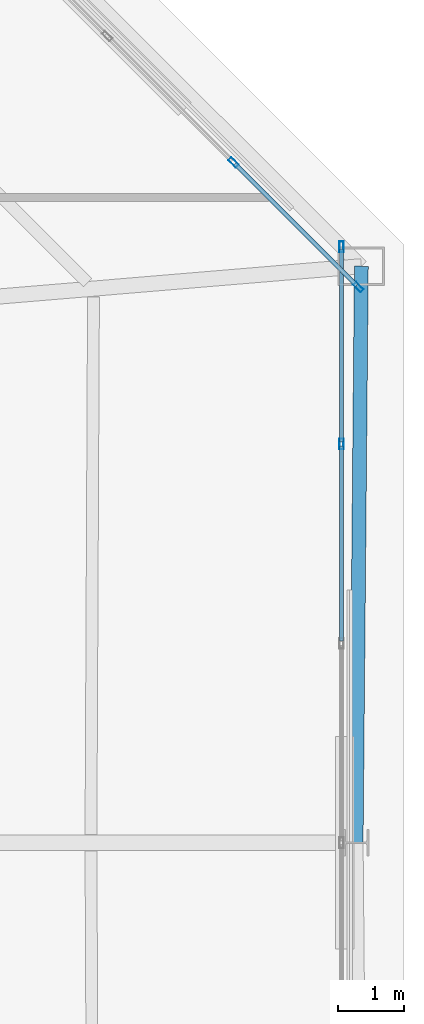
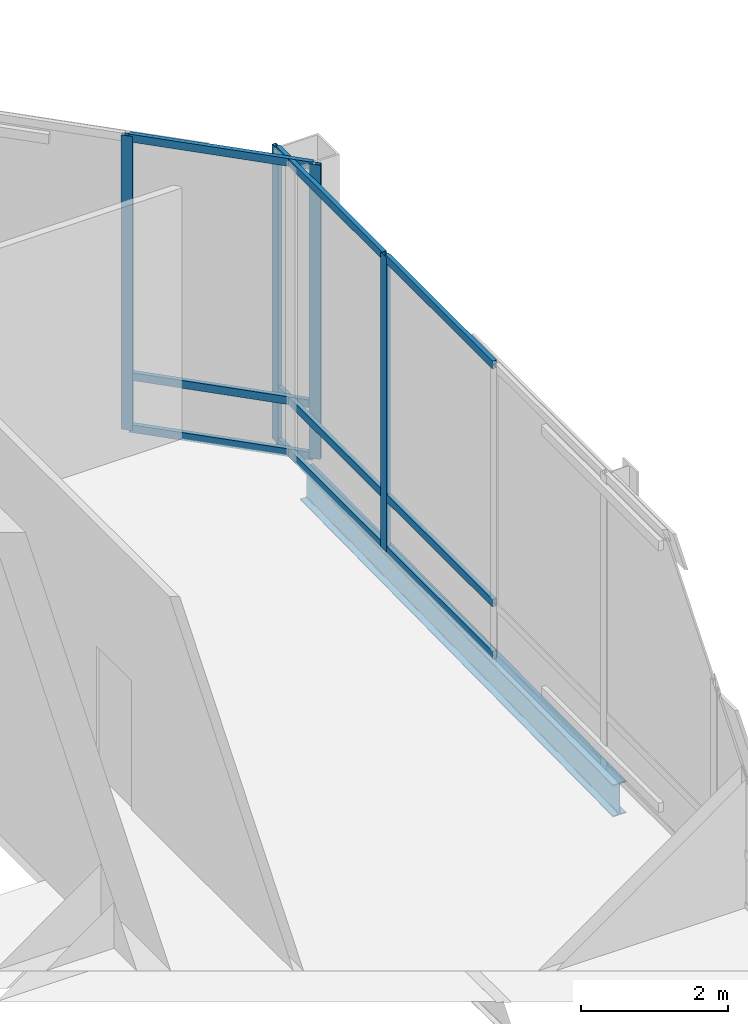
# One storey, part 16 of 21: 13 members, 1 beam, 2 elements without a shape of their own.
"""IFC4 building model written with IfcOpenShell, lengths in metres."""

import ifcopenshell
import ifcopenshell.guid

model = None  # the IFC model being written
_history = None  # IfcOwnerHistory: only IFC2X3 demands one
_inside = {}  # id of a spatial element -> (the spatial element, [elements in it])
_under = {}  # id of a project, library or spatial element -> (it, [spatial elements below it])
_declared = {}  # id of a project -> (the project, [libraries it declares])
_typed = {}  # id of a type object -> (the type object, [elements of that type])
_made_of = {}  # id of a material, layer set ... -> (it, [elements and type objects made of it])


def new_model(schema):
    """Start an empty IFC model of exactly this schema.

    Asked for "IFC4X3", IfcOpenShell would pick the latest addendum, in which some entities
    have other attributes; the version numbers below select the first issue.
    IFC2X3 requires an IfcOwnerHistory on every rooted entity: one is made here for all.
    """
    global model, _history
    if schema == "IFC4X3":
        model = ifcopenshell.file(schema_version=(4, 3, 0, 0))
    else:
        model = ifcopenshell.file(schema=schema)
    _inside.clear()
    _under.clear()
    _declared.clear()
    _typed.clear()
    _made_of.clear()
    _history = None
    if model.schema == "IFC2X3":
        org = make("IfcOrganization", Name="unknown")
        user = make(
            "IfcPersonAndOrganization",
            ThePerson=make("IfcPerson", FamilyName="unknown"),
            TheOrganization=org,
        )
        app = make(
            "IfcApplication",
            ApplicationDeveloper=org,
            Version="unknown",
            ApplicationFullName="unknown",
            ApplicationIdentifier="unknown",
        )
        _history = make(
            "IfcOwnerHistory",
            OwningUser=user,
            OwningApplication=app,
            ChangeAction="ADDED",
            CreationDate=0,
        )
    return model


def make(cls, **values):
    """One entity of the class cls with the attributes given. An attribute that is None is left unset."""
    return model.create_entity(
        cls, **{name: value for name, value in values.items() if value is not None}
    )


def rooted(cls, **values):
    """An entity with a GlobalId (a new one), such as an element, a storey or a relation."""
    return make(cls, GlobalId=ifcopenshell.guid.new(), OwnerHistory=_history, **values)


def si_unit(unit_type, name, prefix=None):
    """IfcSIUnit, for example si_unit("LENGTHUNIT", "METRE", prefix="MILLI")."""
    return make("IfcSIUnit", UnitType=unit_type, Prefix=prefix, Name=name)


def assignment(units):
    """IfcUnitAssignment: the units of a project."""
    return None if units is None else make("IfcUnitAssignment", Units=units)


def point(xyz):
    """IfcCartesianPoint."""
    return None if xyz is None else make("IfcCartesianPoint", Coordinates=xyz)


def direction(xyz):
    """IfcDirection."""
    return None if xyz is None else make("IfcDirection", DirectionRatios=xyz)


def frame(location, z_axis=None, x_axis=None):
    """IfcAxis2Placement3D, a coordinate frame: its origin and axes. An axis left out is left unset."""
    return make(
        "IfcAxis2Placement3D",
        Location=point(location),
        Axis=direction(z_axis),
        RefDirection=direction(x_axis),
    )


def frame_2d(location, x_axis=None):
    """IfcAxis2Placement2D, a coordinate frame in the plane: its origin and x axis."""
    return make(
        "IfcAxis2Placement2D", Location=point(location), RefDirection=direction(x_axis)
    )


def origin():
    """The frame at (0, 0, 0) with its axes left unset."""
    return frame((0.0, 0.0, 0.0))


def origin_2d():
    """The frame at (0, 0) in the plane with its x axis left unset."""
    return frame_2d((0.0, 0.0))


def place(relative_to, where):
    """IfcLocalPlacement: puts the frame where relative to a parent placement (None: the world)."""
    return make(
        "IfcLocalPlacement", PlacementRelTo=relative_to, RelativePlacement=where
    )


def context(
    kind, dimensions, precision=None, world=None, true_north=None, identifier=None
):
    """IfcGeometricRepresentationContext, for example the 3D "Model" context."""
    return make(
        "IfcGeometricRepresentationContext",
        ContextIdentifier=identifier,
        ContextType=kind,
        CoordinateSpaceDimension=dimensions,
        Precision=precision,
        WorldCoordinateSystem=world,
        TrueNorth=true_north,
    )


def subcontext(parent, identifier, kind, view, scale=None):
    """IfcGeometricRepresentationSubContext, for example "Body" below "Model"."""
    return make(
        "IfcGeometricRepresentationSubContext",
        ContextIdentifier=identifier,
        ContextType=kind,
        ParentContext=parent,
        TargetScale=scale,
        TargetView=view,
    )


def project(units=None, contexts=None):
    """IfcProject with its units and contexts."""
    return rooted(
        "IfcProject",
        Name="project",
        RepresentationContexts=contexts,
        UnitsInContext=assignment(units),
    )


def spatial(cls, under=None, at=None, **own):
    """A site, building, storey or space (cls), placed at a placement, below another one or the project."""
    s = rooted(cls, ObjectPlacement=at, **own)
    if under is not None:
        _under.setdefault(under.id(), (under, []))[1].append(s)
    return s


def profile(cls, at=None, kind="AREA", **sizes):
    """A parametric profile (cls). Its sizes go by their IFC names, for example OverallWidth=200.0."""
    return make(cls, ProfileType=kind, Position=at, **sizes)


def hollow_rectangle(**sizes):
    """IfcRectangleHollowProfileDef."""
    return profile("IfcRectangleHollowProfileDef", **sizes)


def i_section(**sizes):
    """IfcIShapeProfileDef."""
    return profile("IfcIShapeProfileDef", **sizes)


def extrude(swept, where, along, depth):
    """IfcExtrudedAreaSolid: the profile swept, set in the frame where, extruded along a direction by depth."""
    return make(
        "IfcExtrudedAreaSolid",
        SweptArea=swept,
        Position=where,
        ExtrudedDirection=direction(along),
        Depth=depth,
    )


def shape(context_of_items, identifier, shape_type, items):
    """IfcShapeRepresentation: the items that make up one representation, for example the "Body"."""
    return make(
        "IfcShapeRepresentation",
        ContextOfItems=context_of_items,
        RepresentationIdentifier=identifier,
        RepresentationType=shape_type,
        Items=items,
    )


def material(Name=None, Category=None):
    """IfcMaterial."""
    return make("IfcMaterial", Name=Name, Category=Category)


def layer(
    of_material, thickness, ventilated=None, Name=None, Category=None, Priority=None
):
    """IfcMaterialLayer: one layer of a wall or slab, of a material (None: an air gap)."""
    return make(
        "IfcMaterialLayer",
        Material=of_material,
        LayerThickness=thickness,
        IsVentilated=ventilated,
        Name=Name,
        Category=Category,
        Priority=Priority,
    )


def layer_set(layers, Name=None):
    """IfcMaterialLayerSet."""
    return make("IfcMaterialLayerSet", MaterialLayers=layers, LayerSetName=Name)


def material_profile(
    of_material, cross_section, Name=None, Category=None, Priority=None
):
    """IfcMaterialProfile: a cross section and its material."""
    return make(
        "IfcMaterialProfile",
        Name=Name,
        Material=of_material,
        Profile=cross_section,
        Priority=Priority,
        Category=Category,
    )


def profile_set(profiles, Name=None, composite=None):
    """IfcMaterialProfileSet."""
    return make(
        "IfcMaterialProfileSet",
        Name=Name,
        MaterialProfiles=profiles,
        CompositeProfile=composite,
    )


def made_of(thing, what):
    """Note that an element or type object is made of a material, layer set ...; save() writes the relation."""
    if what is not None:
        _made_of.setdefault(what.id(), (what, []))[1].append(thing)
    return thing


def type_object(cls, material=None, **own):
    """A type object (cls), such as IfcWallType, which elements share."""
    return made_of(rooted(cls, **own), material)


def element(
    cls,
    number,
    at=None,
    inside=None,
    cuts=None,
    type_object=None,
    material=None,
    context=None,
    identifier="Body",
    shape_type=None,
    held_by="IfcProductDefinitionShape",
    body=None,
    shapes=None,
    **own,
):
    """One element of the class cls, such as IfcWall. Its Tag is "e" and its number.

    at: its placement. inside: the storey or other place that contains it. cuts: it is an
    opening in that element (IfcRelVoidsElement). A single representation is given by context,
    identifier, shape_type and body (its items); several are given by shapes. held_by: the class
    of the entity that holds the representations. save() writes the other relations.
    """
    e = rooted(cls, Tag="e%d" % number, ObjectPlacement=at, **own)
    if body is not None:
        shapes = [shape(context, identifier, shape_type, body)]
    if shapes is not None:
        e.Representation = make(held_by, Representations=shapes)
    if inside is not None:
        _inside.setdefault(inside.id(), (inside, []))[1].append(e)
    if cuts is not None:
        rooted(
            "IfcRelVoidsElement", RelatingBuildingElement=cuts, RelatedOpeningElement=e
        )
    if type_object is not None:
        _typed.setdefault(type_object.id(), (type_object, []))[1].append(e)
    return made_of(e, material)


def aggregate(whole, parts):
    """IfcRelAggregates: a whole, such as a stair, and the parts it consists of."""
    return rooted("IfcRelAggregates", RelatingObject=whole, RelatedObjects=parts)


def save(model, path):
    """Write the relations noted so far, then the file.

    IfcRelAggregates (storeys below a building ...), IfcRelContainedInSpatialStructure (elements
    in a storey), IfcRelDefinesByType, IfcRelAssociatesMaterial and IfcRelDeclares: one each for
    every whole, place, type object, material and project.
    """
    for whole, parts in _under.values():
        aggregate(whole, parts)
    for where, things in _inside.values():
        rooted(
            "IfcRelContainedInSpatialStructure",
            RelatedElements=things,
            RelatingStructure=where,
        )
    for kind, things in _typed.values():
        rooted("IfcRelDefinesByType", RelatedObjects=things, RelatingType=kind)
    for what, things in _made_of.values():
        rooted("IfcRelAssociatesMaterial", RelatedObjects=things, RelatingMaterial=what)
    for by, libraries in _declared.values():
        rooted("IfcRelDeclares", RelatingContext=by, RelatedDefinitions=libraries)
    model.write(path)


model = new_model("IFC4")

# Units and contexts
model_context = context("Model", 3, precision=1e-05, world=origin(), true_north=direction((0.0, 1.0)))
body_context = subcontext(model_context, "Body", "Model", "MODEL_VIEW")
ifc_project = project(units=[si_unit("LENGTHUNIT", "METRE"), si_unit("AREAUNIT", "SQUARE_METRE"), si_unit("VOLUMEUNIT", "CUBIC_METRE"), si_unit("PLANEANGLEUNIT", "RADIAN"), si_unit("MASSUNIT", "GRAM", prefix="KILO")], contexts=[model_context])

# Site, building, storey
site_placement = place(None, origin())
site = spatial("IfcSite", under=ifc_project, at=site_placement, CompositionType="ELEMENT")
building_placement = place(site_placement, origin())
building = spatial("IfcBuilding", under=site, at=building_placement, Name="Caelvoria Tower", CompositionType="ELEMENT")
storey_placement = place(building_placement, frame((0.0, 0.0, 279.0)))
storey = spatial("IfcBuildingStorey", under=building, at=storey_placement, Name="L74", CompositionType="ELEMENT", Elevation=279.0)

# Curtain wall, members
ifc_material_1 = material(Name="Anodised Bronze Aluminium and Low-E Glass", Category="aluminium")
ifc_layer = layer(ifc_material_1, 0.205078125, Name="Anodised Bronze Aluminium and Low-E Glass")
ifc_layer_set = layer_set([ifc_layer], Name="CW System 5 Observation Panorama Low-Iron Facade - Anodised Bronze Aluminium and Low-E Glass")
curtain_wall_type = type_object("IfcCurtainWallType", Name="CW System 5 Observation Panorama Low-Iron Facade", PredefinedType="NOTDEFINED", material=ifc_layer_set)
curtain_wall_1_placement = place(storey_placement, origin())
curtain_wall_1 = element("IfcCurtainWall", 1, at=curtain_wall_1_placement, inside=storey, type_object=curtain_wall_type, Name="CW-05 Curtain Wall L74-E2", PredefinedType="NOTDEFINED")
ifc_material_2 = material(Name="Anodised Bronze Architectural Aluminium", Category="aluminium")
ifc_material_profile_1 = material_profile(ifc_material_2, hollow_rectangle(XDim=0.06494140625, YDim=0.159912109375, WallThickness=0.00390625, at=origin_2d()), Name="Anodised Bronze Architectural Aluminium")
ifc_profile_set_1 = profile_set([ifc_material_profile_1], Name="CW_MULL_65X160 - Anodised Bronze Architectural Aluminium")
member_type_1 = type_object("IfcMemberType", Name="Curtain Wall Mullion 65x160 Bronze Aluminium", PredefinedType="MULLION", material=ifc_profile_set_1)
member_1_placement = place(storey_placement, frame((62.760009765625, 38.0, 0.0), z_axis=(0.0, 0.0, 1.0), x_axis=(-1.0, 0.0, 0.0)))
member_1 = element("IfcMember", 2, at=member_1_placement, type_object=member_type_1, Name="CW-05 mullion 6", PredefinedType="MULLION", context=body_context, shape_type="SweptSolid", body=[
    extrude(hollow_rectangle(XDim=0.06494140625, YDim=0.159912109375, WallThickness=0.00390625, at=origin_2d()), origin(), (0.0, 0.0, 1.0), 4.89990234375),
])
member_2_placement = place(storey_placement, frame((62.760009765625, 40.967529296875, 0.0), z_axis=(0.0, 0.0, 1.0), x_axis=(-1.0, 0.0, 0.0)))
member_2 = element("IfcMember", 3, at=member_2_placement, type_object=member_type_1, Name="CW-05 mullion 7", PredefinedType="MULLION", context=body_context, shape_type="SweptSolid", body=[
    extrude(hollow_rectangle(XDim=0.06494140625, YDim=0.159912109375, WallThickness=0.00390625, at=origin_2d()), origin(), (0.0, 0.0, 1.0), 4.89990234375),
])

curtain_wall_2_placement = place(storey_placement, origin())
curtain_wall_2 = element("IfcCurtainWall", 4, at=curtain_wall_2_placement, inside=storey, type_object=curtain_wall_type, Name="CW-05 Curtain Wall L74-E3", PredefinedType="NOTDEFINED")
member_3_placement = place(storey_placement, frame((63.01220703125, 40.3583984375, 0.0), z_axis=(0.0, 0.0, 1.0), x_axis=(-0.707106781187, -0.707106781187, 0.0)))
member_3 = element("IfcMember", 5, at=member_3_placement, type_object=member_type_1, Name="CW-05 mullion 1", PredefinedType="MULLION", context=body_context, shape_type="SweptSolid", body=[
    extrude(hollow_rectangle(XDim=0.06494140625, YDim=0.159912109375, WallThickness=0.00390625, at=origin_2d()), origin(), (0.0, 0.0, 1.0), 4.89990234375),
])
member_4_placement = place(storey_placement, frame((61.13525390625, 42.2353515625, 0.0), z_axis=(0.0, 0.0, 1.0), x_axis=(-0.707106781187, -0.707106781187, 0.0)))
member_4 = element("IfcMember", 6, at=member_4_placement, type_object=member_type_1, Name="CW-05 mullion 2", PredefinedType="MULLION", context=body_context, shape_type="SweptSolid", body=[
    extrude(hollow_rectangle(XDim=0.06494140625, YDim=0.159912109375, WallThickness=0.00390625, at=origin_2d()), origin(), (0.0, 0.0, 1.0), 4.89990234375),
])

# Member
ifc_material_profile_2 = material_profile(ifc_material_2, hollow_rectangle(XDim=0.06494140625, YDim=0.1298828125, WallThickness=0.00341796875, at=origin_2d()), Name="Anodised Bronze Architectural Aluminium")
ifc_profile_set_2 = profile_set([ifc_material_profile_2], Name="CW_TRAN_65X130 - Anodised Bronze Architectural Aluminium")
member_type_2 = type_object("IfcMemberType", Name="Curtain Wall Transom 65x130 Bronze Aluminium", PredefinedType="USERDEFINED", material=ifc_profile_set_2)
member_5_placement = place(storey_placement, frame((62.760009765625, 35.032470703125, 0.032470703125), z_axis=(0.0, 1.0, 0.0), x_axis=(-1.0, 0.0, 0.0)))
member_5 = element("IfcMember", 7, at=member_5_placement, type_object=member_type_2, Name="CW-05 transom 5.1", ObjectType="TRANSOM", PredefinedType="USERDEFINED", context=body_context, shape_type="SweptSolid", body=[
    extrude(hollow_rectangle(XDim=0.06494140625, YDim=0.1298828125, WallThickness=0.00341796875, at=origin_2d()), origin(), (0.0, 0.0, 1.0), 2.93505859375),
])

member_6_placement = place(storey_placement, frame((62.760009765625, 35.032470703125, 0.89990234375), z_axis=(0.0, 1.0, 0.0), x_axis=(-1.0, 0.0, 0.0)))
member_6 = element("IfcMember", 8, at=member_6_placement, type_object=member_type_2, Name="CW-05 transom 5.2", ObjectType="TRANSOM", PredefinedType="USERDEFINED", context=body_context, shape_type="SweptSolid", body=[
    extrude(hollow_rectangle(XDim=0.06494140625, YDim=0.1298828125, WallThickness=0.00341796875, at=origin_2d()), origin(), (0.0, 0.0, 1.0), 2.93505859375),
])

member_7_placement = place(storey_placement, frame((62.760009765625, 35.032470703125, 4.867431640625), z_axis=(0.0, 1.0, 0.0), x_axis=(-1.0, 0.0, 0.0)))
member_7 = element("IfcMember", 9, at=member_7_placement, type_object=member_type_2, Name="CW-05 transom 5.3", ObjectType="TRANSOM", PredefinedType="USERDEFINED", context=body_context, shape_type="SweptSolid", body=[
    extrude(hollow_rectangle(XDim=0.06494140625, YDim=0.1298828125, WallThickness=0.00341796875, at=origin_2d()), origin(), (0.0, 0.0, 1.0), 2.93505859375),
])

member_8_placement = place(storey_placement, frame((62.760009765625, 38.032470703125, 0.032470703125), z_axis=(0.0, 1.0, 0.0), x_axis=(-1.0, 0.0, 0.0)))
member_8 = element("IfcMember", 10, at=member_8_placement, type_object=member_type_2, Name="CW-05 transom 6.1", ObjectType="TRANSOM", PredefinedType="USERDEFINED", context=body_context, shape_type="SweptSolid", body=[
    extrude(hollow_rectangle(XDim=0.06494140625, YDim=0.1298828125, WallThickness=0.00341796875, at=origin_2d()), origin(), (0.0, 0.0, 1.0), 2.902587890625),
])

member_9_placement = place(storey_placement, frame((62.760009765625, 38.032470703125, 0.89990234375), z_axis=(0.0, 1.0, 0.0), x_axis=(-1.0, 0.0, 0.0)))
member_9 = element("IfcMember", 11, at=member_9_placement, type_object=member_type_2, Name="CW-05 transom 6.2", ObjectType="TRANSOM", PredefinedType="USERDEFINED", context=body_context, shape_type="SweptSolid", body=[
    extrude(hollow_rectangle(XDim=0.06494140625, YDim=0.1298828125, WallThickness=0.00341796875, at=origin_2d()), origin(), (0.0, 0.0, 1.0), 2.902587890625),
])

member_10_placement = place(storey_placement, frame((62.760009765625, 38.032470703125, 4.867431640625), z_axis=(0.0, 1.0, 0.0), x_axis=(-1.0, 0.0, 0.0)))
member_10 = element("IfcMember", 12, at=member_10_placement, type_object=member_type_2, Name="CW-05 transom 6.3", ObjectType="TRANSOM", PredefinedType="USERDEFINED", context=body_context, shape_type="SweptSolid", body=[
    extrude(hollow_rectangle(XDim=0.06494140625, YDim=0.1298828125, WallThickness=0.00341796875, at=origin_2d()), origin(), (0.0, 0.0, 1.0), 2.902587890625),
])

aggregate(curtain_wall_1, [member_1, member_2, member_5, member_6, member_7, member_8, member_9, member_10])

member_11_placement = place(storey_placement, frame((62.9892578125, 40.38134765625, 0.032470703125), z_axis=(-0.707106781187, 0.707106781187, 0.0), x_axis=(-0.707106781187, -0.707106781187, 0.0)))
member_11 = element("IfcMember", 13, at=member_11_placement, type_object=member_type_2, Name="CW-05 transom 1.1", ObjectType="TRANSOM", PredefinedType="USERDEFINED", context=body_context, shape_type="SweptSolid", body=[
    extrude(hollow_rectangle(XDim=0.06494140625, YDim=0.1298828125, WallThickness=0.00341796875, at=origin_2d()), origin(), (0.0, 0.0, 1.0), 2.589599609375),
])

member_12_placement = place(storey_placement, frame((62.9892578125, 40.38134765625, 0.89990234375), z_axis=(-0.707106781187, 0.707106781187, 0.0), x_axis=(-0.707106781187, -0.707106781187, 0.0)))
member_12 = element("IfcMember", 14, at=member_12_placement, type_object=member_type_2, Name="CW-05 transom 1.2", ObjectType="TRANSOM", PredefinedType="USERDEFINED", context=body_context, shape_type="SweptSolid", body=[
    extrude(hollow_rectangle(XDim=0.06494140625, YDim=0.1298828125, WallThickness=0.00341796875, at=origin_2d()), origin(), (0.0, 0.0, 1.0), 2.589599609375),
])

member_13_placement = place(storey_placement, frame((62.9892578125, 40.38134765625, 4.867431640625), z_axis=(-0.707106781187, 0.707106781187, 0.0), x_axis=(-0.707106781187, -0.707106781187, 0.0)))
member_13 = element("IfcMember", 15, at=member_13_placement, type_object=member_type_2, Name="CW-05 transom 1.3", ObjectType="TRANSOM", PredefinedType="USERDEFINED", context=body_context, shape_type="SweptSolid", body=[
    extrude(hollow_rectangle(XDim=0.06494140625, YDim=0.1298828125, WallThickness=0.00341796875, at=origin_2d()), origin(), (0.0, 0.0, 1.0), 2.589599609375),
])

aggregate(curtain_wall_2, [member_3, member_4, member_11, member_12, member_13])

# Beam
ifc_material_3 = material(Name="Structural Steel ASTM A992 Gr.50", Category="steel")
ifc_material_profile_3 = material_profile(ifc_material_3, i_section(OverallWidth=0.208984375, OverallDepth=0.532958984375, WebThickness=0.01025390625, FlangeThickness=0.015625, FilletRadius=0.01611328125, at=origin_2d()), Name="Structural Steel ASTM A992 Gr.50")
ifc_profile_set_3 = profile_set([ifc_material_profile_3], Name="W530X92 - Structural Steel ASTM A992 Gr.50")
beam_type = type_object("IfcBeamType", Name="Upper Zone Spandrel W530X92", PredefinedType="BEAM", material=ifc_profile_set_3)
beam_placement = place(storey_placement, frame((62.97998046875, 32.0, -0.6064453125), z_axis=(0.009006868577, 0.999959437337, 0.0), x_axis=(-0.999959437337, 0.009006868577, 0.0)))
element("IfcBeam", 16, at=beam_placement, inside=storey, type_object=beam_type, Name="Perimeter Spandrel Girder L74-04", PredefinedType="BEAM", context=body_context, shape_type="SweptSolid", body=[
    extrude(i_section(OverallWidth=0.208984375, OverallDepth=0.532958984375, WebThickness=0.01025390625, FlangeThickness=0.015625, FilletRadius=0.01611328125, at=origin_2d()), origin(), (0.0, 0.0, 1.0), 8.673828125),
])

save(model, "model.ifc")
